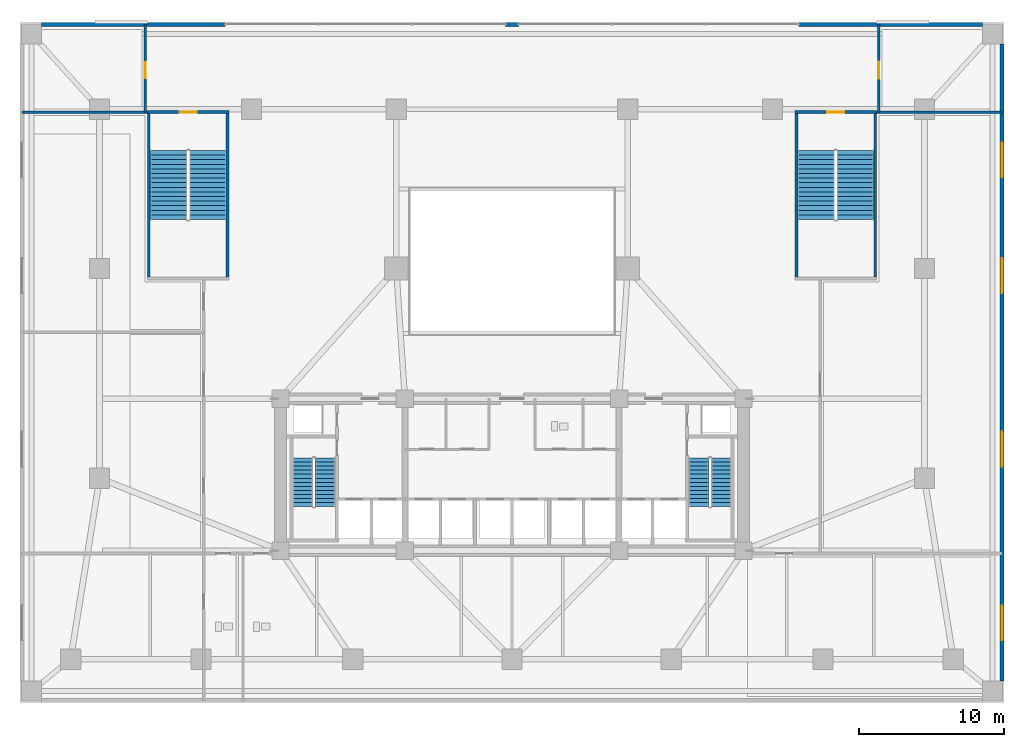
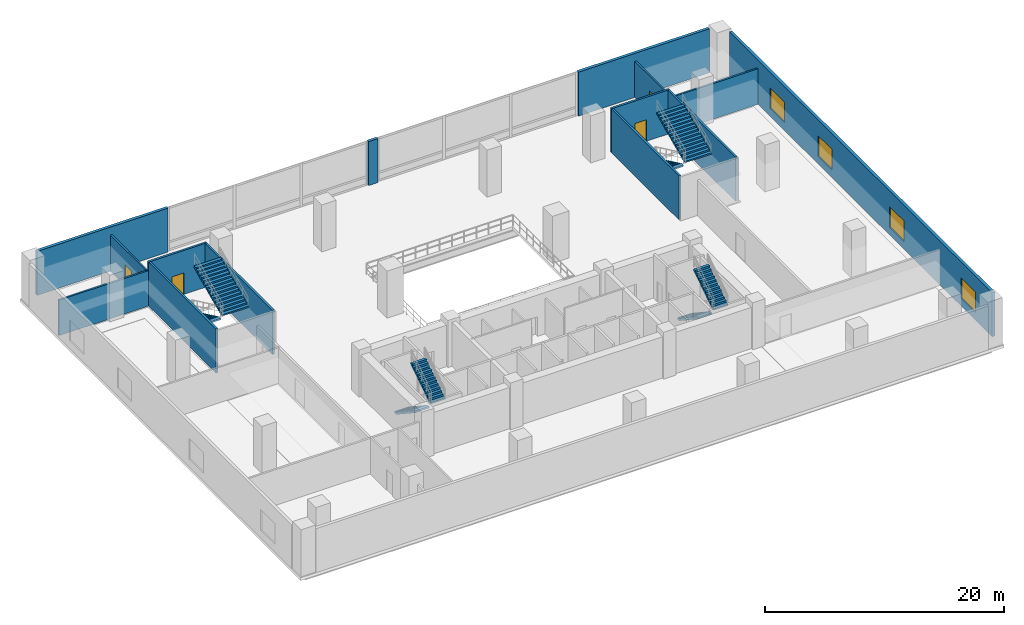
# One storey, part 9 of 15: 14 walls, 8 stair flights, 4 doors, 4 windows, 8 openings, 4 elements without a shape of their own.
"""IFC4 building model written with IfcOpenShell, lengths in metres."""

from ifc_helpers import new_model, si_unit, direction, frame, frame_2d, origin, place, context, subcontext, project, spatial, polyline, rectangle, outline, extrude, material, layer, layer_set, type_object, element, fill, aggregate, save


model = new_model("IFC4")

# Units and contexts
model_context = context("Model", 3, precision=1e-05, world=origin(), true_north=direction((0.0, 1.0)))
body_context = subcontext(model_context, "Body", "Model", "MODEL_VIEW")
ifc_project = project(units=[si_unit("LENGTHUNIT", "METRE"), si_unit("AREAUNIT", "SQUARE_METRE"), si_unit("VOLUMEUNIT", "CUBIC_METRE"), si_unit("PLANEANGLEUNIT", "RADIAN"), si_unit("MASSUNIT", "GRAM", prefix="KILO")], contexts=[model_context])

# Site, building, storey
site_placement = place(None, origin())
site = spatial("IfcSite", under=ifc_project, at=site_placement, CompositionType="ELEMENT")
building_placement = place(site_placement, origin())
building = spatial("IfcBuilding", under=site, at=building_placement, Name="Solmavex Isthmus Hotel", CompositionType="ELEMENT")
storey_placement = place(building_placement, frame((0.0, 0.0, 11.39990234375)))
storey = spatial("IfcBuildingStorey", under=building, at=storey_placement, Name="L03", CompositionType="ELEMENT", Elevation=11.39990234375)

# Walls
ifc_material_1 = material(Name="Precast Concrete C40/50", Category="concrete")
ifc_layer_1 = layer(ifc_material_1, 0.280029296875)
ifc_layer_set_1 = layer_set([ifc_layer_1], Name="Precast Concrete C40/50")
wall_type_1 = type_object("IfcWallType", Name="EW-POD-280", PredefinedType="STANDARD", material=ifc_layer_set_1)
for number, where, z_axis, x_axis, name in (
    (1, (-32.5, 23.360107421875, 0.0), (0.0, 0.0, 1.0), (1.0, 0.0, 0.0), "Podium Facade Wall NW L03"),
    (2, (19.840087890625, 23.360107421875, 0.0), (0.0, 0.0, 1.0), (1.0, 0.0, 0.0), "Podium Facade Wall NE L03"),
):
    element("IfcWall", number, at=place(storey_placement, frame(where, z_axis=z_axis, x_axis=x_axis)), inside=storey, type_object=wall_type_1, Name=name, PredefinedType="STANDARD", context=body_context, shape_type="SweptSolid", body=[
        extrude(rectangle(XDim=12.659912109375, YDim=0.280029296875, at=frame_2d((6.330078125, 0.0))), origin(), (0.0, 0.0, 1.0), 4.5),
    ])
wall_1_placement = place(storey_placement, frame((-0.449951171875, 23.360107421875, 0.0), z_axis=(0.0, 0.0, 1.0), x_axis=(1.0, 0.0, 0.0)))
element("IfcWall", 3, at=wall_1_placement, inside=storey, type_object=wall_type_1, Name="Podium Atrium Center Pier L03", PredefinedType="STANDARD", context=body_context, shape_type="SweptSolid", body=[
    extrude(rectangle(XDim=0.89990234375, YDim=0.280029296875, at=frame_2d((0.449951171875, 0.0))), origin(), (0.0, 0.0, 1.0), 4.5),
])

# Wall, openings, windows
wall_2_placement = place(storey_placement, frame((33.860107421875, -22.0, 0.0), z_axis=(0.0, 0.0, 1.0), x_axis=(0.0, 1.0, 0.0)))
wall_2 = element("IfcWall", 4, at=wall_2_placement, inside=storey, type_object=wall_type_1, Name="Podium Facade Wall East L03", PredefinedType="STANDARD", context=body_context, shape_type="SweptSolid", body=[
    extrude(rectangle(XDim=44.0, YDim=0.280029296875, at=frame_2d((22.0, 0.0))), origin(), (0.0, 0.0, 1.0), 4.5),
])
opening_1_placement = place(wall_2_placement, frame((2.800048828125, 0.0, 0.800048828125)))
opening_1 = element("IfcOpeningElement", 5, at=opening_1_placement, cuts=wall_2, Name="Opening WN-01", PredefinedType="OPENING", context=body_context, shape_type="SweptSolid", body=[
    extrude(rectangle(XDim=2.39990234375, YDim=2.10009765625, at=frame_2d((1.199951171875, 1.050048828125))), frame((0.0, 0.14990234375, 0.0), z_axis=(0.0, -1.0, 0.0), x_axis=(1.0, 0.0, 0.0)), (0.0, 0.0, 1.0), 0.300048828125),
])
opening_2_placement = place(wall_2_placement, frame((14.800048828125, 0.0, 0.800048828125)))
opening_2 = element("IfcOpeningElement", 6, at=opening_2_placement, cuts=wall_2, Name="Opening WN-01", PredefinedType="OPENING", context=body_context, shape_type="SweptSolid", body=[
    extrude(rectangle(XDim=2.39990234375, YDim=2.10009765625, at=frame_2d((1.199951171875, 1.050048828125))), frame((0.0, 0.14990234375, 0.0), z_axis=(0.0, -1.0, 0.0), x_axis=(1.0, 0.0, 0.0)), (0.0, 0.0, 1.0), 0.300048828125),
])
opening_3_placement = place(wall_2_placement, frame((26.800048828125, 0.0, 0.800048828125)))
opening_3 = element("IfcOpeningElement", 7, at=opening_3_placement, cuts=wall_2, Name="Opening WN-01", PredefinedType="OPENING", context=body_context, shape_type="SweptSolid", body=[
    extrude(rectangle(XDim=2.39990234375, YDim=2.10009765625, at=frame_2d((1.199951171875, 1.050048828125))), frame((0.0, 0.14990234375, 0.0), z_axis=(0.0, -1.0, 0.0), x_axis=(1.0, 0.0, 0.0)), (0.0, 0.0, 1.0), 0.300048828125),
])
opening_4_placement = place(wall_2_placement, frame((34.800048828125, 0.0, 0.800048828125)))
opening_4 = element("IfcOpeningElement", 8, at=opening_4_placement, cuts=wall_2, Name="Opening WN-01", PredefinedType="OPENING", context=body_context, shape_type="SweptSolid", body=[
    extrude(rectangle(XDim=2.39990234375, YDim=2.10009765625, at=frame_2d((1.199951171875, 1.050048828125))), frame((0.0, 0.14990234375, 0.0), z_axis=(0.0, -1.0, 0.0), x_axis=(1.0, 0.0, 0.0)), (0.0, 0.0, 1.0), 0.300048828125),
])
ifc_material_2 = material(Name="Clear low-E laminated glass", Category="glass")
window_type = type_object("IfcWindowType", Name="WIN-POD-2400", PartitioningType="SINGLE_PANEL", PredefinedType="WINDOW", material=ifc_material_2)
window_1_placement = place(opening_1_placement, origin())
window_1 = element("IfcWindow", 9, at=window_1_placement, inside=storey, type_object=window_type, Name="Podium Ballroom Window L03-E1", OverallHeight=2.10009765625, OverallWidth=2.39990234375, PartitioningType="SINGLE_PANEL", PredefinedType="WINDOW", context=body_context, shape_type="SweptSolid", body=[
    extrude(rectangle(XDim=2.39990234375, YDim=2.10009765625, at=frame_2d((1.199951171875, 1.050048828125))), frame((0.0, 0.030029296875, 0.0), z_axis=(0.0, -1.0, 0.0), x_axis=(1.0, 0.0, 0.0)), (0.0, 0.0, 1.0), 0.06005859375),
])
fill(opening_1, window_1)
window_2_placement = place(opening_2_placement, origin())
window_2 = element("IfcWindow", 10, at=window_2_placement, inside=storey, type_object=window_type, Name="Podium Ballroom Window L03-E2", OverallHeight=2.10009765625, OverallWidth=2.39990234375, PartitioningType="SINGLE_PANEL", PredefinedType="WINDOW", context=body_context, shape_type="SweptSolid", body=[
    extrude(rectangle(XDim=2.39990234375, YDim=2.10009765625, at=frame_2d((1.199951171875, 1.050048828125))), frame((0.0, 0.030029296875, 0.0), z_axis=(0.0, -1.0, 0.0), x_axis=(1.0, 0.0, 0.0)), (0.0, 0.0, 1.0), 0.06005859375),
])
fill(opening_2, window_2)
window_3_placement = place(opening_3_placement, origin())
window_3 = element("IfcWindow", 11, at=window_3_placement, inside=storey, type_object=window_type, Name="Podium Ballroom Window L03-E3", OverallHeight=2.10009765625, OverallWidth=2.39990234375, PartitioningType="SINGLE_PANEL", PredefinedType="WINDOW", context=body_context, shape_type="SweptSolid", body=[
    extrude(rectangle(XDim=2.39990234375, YDim=2.10009765625, at=frame_2d((1.199951171875, 1.050048828125))), frame((0.0, 0.030029296875, 0.0), z_axis=(0.0, -1.0, 0.0), x_axis=(1.0, 0.0, 0.0)), (0.0, 0.0, 1.0), 0.06005859375),
])
fill(opening_3, window_3)
window_4_placement = place(opening_4_placement, origin())
window_4 = element("IfcWindow", 12, at=window_4_placement, inside=storey, type_object=window_type, Name="Podium Ballroom Window L03-E4", OverallHeight=2.10009765625, OverallWidth=2.39990234375, PartitioningType="SINGLE_PANEL", PredefinedType="WINDOW", context=body_context, shape_type="SweptSolid", body=[
    extrude(rectangle(XDim=2.39990234375, YDim=2.10009765625, at=frame_2d((1.199951171875, 1.050048828125))), frame((0.0, 0.030029296875, 0.0), z_axis=(0.0, -1.0, 0.0), x_axis=(1.0, 0.0, 0.0)), (0.0, 0.0, 1.0), 0.06005859375),
])
fill(opening_4, window_4)

# Wall, opening, door
ifc_material_3 = material(Name="Gypsum plasterboard lining", Category="gypsum")
ifc_layer_2 = layer(ifc_material_3, 0.159912109375)
ifc_layer_set_2 = layer_set([ifc_layer_2], Name="Gypsum plasterboard lining")
wall_type_2 = type_object("IfcWallType", Name="IW-COMP-160", PredefinedType="PARTITIONING", material=ifc_layer_set_2)
wall_3_placement = place(storey_placement, frame((-25.35009765625, 17.300048828125, 0.0), z_axis=(0.0, 0.0, 1.0), x_axis=(0.0, 1.0, 0.0)))
wall_3 = element("IfcWall", 13, at=wall_3_placement, inside=storey, type_object=wall_type_2, Name="Interior Partition Wall W-L03-NORTH-WV", PredefinedType="PARTITIONING", context=body_context, shape_type="SweptSolid", body=[
    extrude(rectangle(XDim=6.06005859375, YDim=0.159912109375, at=frame_2d((3.030029296875, 0.0))), origin(), (0.0, 0.0, 1.0), 3.7119140625),
])
opening_5_placement = place(wall_3_placement, frame((2.35009765625, 0.0, 0.0)))
opening_5 = element("IfcOpeningElement", 14, at=opening_5_placement, cuts=wall_3, Name="Opening ID-C110", PredefinedType="OPENING", context=body_context, shape_type="SweptSolid", body=[
    extrude(rectangle(XDim=1.10009765625, YDim=2.14990234375, at=frame_2d((0.550048828125, 1.074951171875))), frame((0.0, 0.08984375, 0.0), z_axis=(0.0, -1.0, 0.0), x_axis=(1.0, 0.0, 0.0)), (0.0, 0.0, 1.0), 0.179931640625),
])
ifc_material_4 = material(Name="Hardwood timber", Category="wood")
door_type_1 = type_object("IfcDoorType", Name="IDR-FD60-1100", OperationType="NOTDEFINED", PredefinedType="DOOR", material=ifc_material_4)
door_1_placement = place(opening_5_placement, origin())
door_1 = element("IfcDoor", 15, at=door_1_placement, inside=storey, type_object=door_type_1, Name="VIP Coat Room Door L03", OperationType="SINGLE_SWING_RIGHT", OverallHeight=2.14990234375, OverallWidth=1.10009765625, PredefinedType="DOOR", context=body_context, shape_type="SweptSolid", body=[
    extrude(rectangle(XDim=1.10009765625, YDim=2.14990234375, at=frame_2d((0.550048828125, 1.074951171875))), frame((0.0, 0.02490234375, 0.0), z_axis=(0.0, -1.0, 0.0), x_axis=(1.0, 0.0, 0.0)), (0.0, 0.0, 1.0), 0.050048828125),
])
fill(opening_5, door_1)

wall_4_placement = place(storey_placement, frame((25.35009765625, 17.300048828125, 0.0), z_axis=(0.0, 0.0, 1.0), x_axis=(0.0, 1.0, 0.0)))
wall_4 = element("IfcWall", 16, at=wall_4_placement, inside=storey, type_object=wall_type_2, Name="Interior Partition Wall W-L03-NORTH-EV", PredefinedType="PARTITIONING", context=body_context, shape_type="SweptSolid", body=[
    extrude(rectangle(XDim=6.06005859375, YDim=0.159912109375, at=frame_2d((3.030029296875, 0.0))), origin(), (0.0, 0.0, 1.0), 3.7119140625),
])
opening_6_placement = place(wall_4_placement, frame((2.324951171875, 0.0, 0.0)))
opening_6 = element("IfcOpeningElement", 17, at=opening_6_placement, cuts=wall_4, Name="Opening ID-C115", PredefinedType="OPENING", context=body_context, shape_type="SweptSolid", body=[
    extrude(rectangle(XDim=1.14990234375, YDim=2.199951171875, at=frame_2d((0.574951171875, 1.10009765625))), frame((0.0, 0.08984375, 0.0), z_axis=(0.0, -1.0, 0.0), x_axis=(1.0, 0.0, 0.0)), (0.0, 0.0, 1.0), 0.179931640625),
])
door_type_2 = type_object("IfcDoorType", Name="IDR-FD60-1150", OperationType="NOTDEFINED", PredefinedType="DOOR", material=ifc_material_4)
door_2_placement = place(opening_6_placement, origin())
door_2 = element("IfcDoor", 18, at=door_2_placement, inside=storey, type_object=door_type_2, Name="Seminar Room Door L03", OperationType="SINGLE_SWING_LEFT", OverallHeight=2.199951171875, OverallWidth=1.14990234375, PredefinedType="DOOR", context=body_context, shape_type="SweptSolid", body=[
    extrude(rectangle(XDim=1.14990234375, YDim=2.199951171875, at=frame_2d((0.574951171875, 1.10009765625))), frame((0.0, 0.02490234375, 0.0), z_axis=(0.0, -1.0, 0.0), x_axis=(1.0, 0.0, 0.0)), (0.0, 0.0, 1.0), 0.050048828125),
])
fill(opening_6, door_2)

# Walls
ifc_material_5 = material(Name="Concrete C40/50", Category="concrete")
ifc_layer_3 = layer(ifc_material_5, 0.179931640625)
ifc_layer_set_3 = layer_set([ifc_layer_3], Name="Concrete C40/50")
wall_type_3 = type_object("IfcWallType", Name="IW-SHAFT-180", PredefinedType="PARTITIONING", material=ifc_layer_set_3)
for number, where, z_axis, x_axis, name in (
    (19, (-33.860107421875, 17.300048828125, 0.0), (0.0, 0.0, 1.0), (1.0, 0.0, 0.0), "Interior Partition Wall W-L03-NORTH-W"),
    (20, (25.199951171875, 17.300048828125, 0.0), (0.0, 0.0, 1.0), (1.0, 0.0, 0.0), "Interior Partition Wall W-L03-NORTH-E"),
):
    element("IfcWall", number, at=place(storey_placement, frame(where, z_axis=z_axis, x_axis=x_axis)), inside=storey, type_object=wall_type_3, Name=name, PredefinedType="PARTITIONING", context=body_context, shape_type="SweptSolid", body=[
        extrude(rectangle(XDim=8.66015625, YDim=0.179931640625, at=frame_2d((4.330078125, 0.0))), origin(), (0.0, 0.0, 1.0), 3.629638671875),
    ])

# Wall, opening, door
ifc_layer_4 = layer(ifc_material_5, 0.199951171875)
ifc_layer_set_4 = layer_set([ifc_layer_4], Name="Concrete C40/50")
wall_type_4 = type_object("IfcWallType", Name="WALL-SW-200", PredefinedType="SOLIDWALL", material=ifc_layer_set_4)
wall_5_placement = place(storey_placement, frame((19.550048828125, 17.300048828125, 0.0), z_axis=(0.0, 0.0, 1.0), x_axis=(1.0, 0.0, 0.0)))
wall_5 = element("IfcWall", 21, at=wall_5_placement, inside=storey, type_object=wall_type_4, Name="Stairwell Structural Wall SW-L03-ST3-N", PredefinedType="SOLIDWALL", context=body_context, shape_type="SweptSolid", body=[
    extrude(rectangle(XDim=5.64990234375, YDim=0.199951171875, at=frame_2d((2.824951171875, 0.0))), origin(), (0.0, 0.0, 1.0), 4.5),
])
opening_7_placement = place(wall_5_placement, frame((2.25, 0.0, 0.0)))
opening_7 = element("IfcOpeningElement", 22, at=opening_7_placement, cuts=wall_5, Name="Opening ID-F115", PredefinedType="OPENING", context=body_context, shape_type="SweptSolid", body=[
    extrude(rectangle(XDim=1.14990234375, YDim=2.199951171875, at=frame_2d((0.574951171875, 1.10009765625))), frame((0.0, 0.10986328125, 0.0), z_axis=(0.0, -1.0, 0.0), x_axis=(1.0, 0.0, 0.0)), (0.0, 0.0, 1.0), 0.219970703125),
])
ifc_material_6 = material(Name="Steel ASTM A500 Grade C", Category="steel")
door_type_3 = type_object("IfcDoorType", Name="IDR-FD90-1150", OperationType="NOTDEFINED", PredefinedType="DOOR", material=ifc_material_6)
door_3_placement = place(opening_7_placement, origin())
door_3 = element("IfcDoor", 23, at=door_3_placement, inside=storey, type_object=door_type_3, Name="Podium Stair ST3 Fire Door L03", OperationType="SINGLE_SWING_LEFT", OverallHeight=2.199951171875, OverallWidth=1.14990234375, PredefinedType="DOOR", context=body_context, shape_type="SweptSolid", body=[
    extrude(rectangle(XDim=1.14990234375, YDim=2.199951171875, at=frame_2d((0.574951171875, 1.10009765625))), frame((0.0, 0.02490234375, 0.0), z_axis=(0.0, -1.0, 0.0), x_axis=(1.0, 0.0, 0.0)), (0.0, 0.0, 1.0), 0.050048828125),
])
fill(opening_7, door_3)

# Walls
for number, where, z_axis, x_axis, name in (
    (24, (19.64990234375, 5.89990234375, 0.0), (0.0, 0.0, 1.0), (0.0, 1.0, 0.0), "Stairwell Structural Wall SW-L03-ST3-W"),
    (25, (25.10009765625, 5.89990234375, 0.0), (0.0, 0.0, 1.0), (0.0, 1.0, 0.0), "Stairwell Structural Wall SW-L03-ST3-E"),
):
    element("IfcWall", number, at=place(storey_placement, frame(where, z_axis=z_axis, x_axis=x_axis)), inside=storey, type_object=wall_type_4, Name=name, PredefinedType="SOLIDWALL", context=body_context, shape_type="SweptSolid", body=[
        extrude(rectangle(XDim=11.300048828125, YDim=0.199951171875, at=frame_2d((5.64990234375, 0.0))), origin(), (0.0, 0.0, 1.0), 4.5),
    ])

# Wall, opening, door
wall_6_placement = place(storey_placement, frame((-25.199951171875, 17.300048828125, 0.0), z_axis=(0.0, 0.0, 1.0), x_axis=(1.0, 0.0, 0.0)))
wall_6 = element("IfcWall", 26, at=wall_6_placement, inside=storey, type_object=wall_type_4, Name="Stairwell Structural Wall SW-L03-ST4-N", PredefinedType="SOLIDWALL", context=body_context, shape_type="SweptSolid", body=[
    extrude(rectangle(XDim=5.64990234375, YDim=0.199951171875, at=frame_2d((2.824951171875, 0.0))), origin(), (0.0, 0.0, 1.0), 4.5),
])
opening_8_placement = place(wall_6_placement, frame((2.25, 0.0, 0.0)))
opening_8 = element("IfcOpeningElement", 27, at=opening_8_placement, cuts=wall_6, Name="Opening ID-F115", PredefinedType="OPENING", context=body_context, shape_type="SweptSolid", body=[
    extrude(rectangle(XDim=1.14990234375, YDim=2.199951171875, at=frame_2d((0.574951171875, 1.10009765625))), frame((0.0, 0.10986328125, 0.0), z_axis=(0.0, -1.0, 0.0), x_axis=(1.0, 0.0, 0.0)), (0.0, 0.0, 1.0), 0.219970703125),
])
door_4_placement = place(opening_8_placement, origin())
door_4 = element("IfcDoor", 28, at=door_4_placement, inside=storey, type_object=door_type_3, Name="Podium Stair ST4 Fire Door L03", OperationType="SINGLE_SWING_RIGHT", OverallHeight=2.199951171875, OverallWidth=1.14990234375, PredefinedType="DOOR", context=body_context, shape_type="SweptSolid", body=[
    extrude(rectangle(XDim=1.14990234375, YDim=2.199951171875, at=frame_2d((0.574951171875, 1.10009765625))), frame((0.0, 0.02490234375, 0.0), z_axis=(0.0, -1.0, 0.0), x_axis=(1.0, 0.0, 0.0)), (0.0, 0.0, 1.0), 0.050048828125),
])
fill(opening_8, door_4)

# Walls
for number, where, z_axis, x_axis, name in (
    (29, (-25.10009765625, 5.89990234375, 0.0), (0.0, 0.0, 1.0), (0.0, 1.0, 0.0), "Stairwell Structural Wall SW-L03-ST4-W"),
    (30, (-19.64990234375, 5.89990234375, 0.0), (0.0, 0.0, 1.0), (0.0, 1.0, 0.0), "Stairwell Structural Wall SW-L03-ST4-E"),
):
    element("IfcWall", number, at=place(storey_placement, frame(where, z_axis=z_axis, x_axis=x_axis)), inside=storey, type_object=wall_type_4, Name=name, PredefinedType="SOLIDWALL", context=body_context, shape_type="SweptSolid", body=[
        extrude(rectangle(XDim=11.300048828125, YDim=0.199951171875, at=frame_2d((5.64990234375, 0.0))), origin(), (0.0, 0.0, 1.0), 4.5),
    ])

# Stair, stair flights
stair_type_1 = type_object("IfcStairType", Name="STR-ST-1", PredefinedType="HALF_TURN_STAIR", material=ifc_material_5)
stair_1_placement = place(storey_placement, origin())
stair_1 = element("IfcStair", 31, at=stair_1_placement, inside=storey, type_object=stair_type_1, Name="L03 Protected Exit Stair ST-1", PredefinedType="HALF_TURN_STAIR")
stair_flight_type_1 = type_object("IfcStairFlightType", Name="SFL-ST-1", PredefinedType="STRAIGHT", material=ifc_material_5)
stair_flight_1_placement = place(storey_placement, frame((-14.449951171875, -6.60009765625, 0.0), z_axis=(0.0, 0.0, 1.0), x_axis=(0.0, -1.0, 0.0)))
stair_flight_1 = element("IfcStairFlight", 32, at=stair_flight_1_placement, type_object=stair_flight_type_1, Name="ST-1 flight 1", NumberOfRisers=13, NumberOfTreads=12, PredefinedType="STRAIGHT", RiserHeight=0.184615385, TreadLength=0.28, context=body_context, shape_type="SweptSolid", body=[
    extrude(outline(polyline([(0.0, 0.0), (0.0, 0.1845703125), (0.280029296875, 0.1845703125), (0.280029296875, 0.369140625), (0.56005859375, 0.369140625), (0.56005859375, 0.553955078125), (0.840087890625, 0.553955078125), (0.840087890625, 0.738525390625), (1.1201171875, 0.738525390625), (1.1201171875, 0.923095703125), (1.39990234375, 0.923095703125), (1.39990234375, 1.107666015625), (1.679931640625, 1.107666015625), (1.679931640625, 1.292236328125), (1.9599609375, 1.292236328125), (1.9599609375, 1.476806640625), (2.239990234375, 1.476806640625), (2.239990234375, 1.66162109375), (2.52001953125, 1.66162109375), (2.52001953125, 1.84619140625), (2.800048828125, 1.84619140625), (2.800048828125, 2.03076171875), (3.080078125, 2.03076171875), (3.080078125, 2.21533203125), (3.360107421875, 2.21533203125), (3.360107421875, 2.39990234375), (3.360107421875, 2.035888671875), (0.272216796875, 0.0), (0.0, 0.0)])), frame((0.0, 0.699951171875, 0.0), z_axis=(0.0, -1.0, 0.0), x_axis=(1.0, 0.0, 0.0)), (0.0, 0.0, 1.0), 1.39990234375),
])
stair_flight_2_placement = place(storey_placement, frame((-12.89990234375, -9.9599609375, 2.400146484375), z_axis=(0.0, 0.0, 1.0), x_axis=(0.0, 1.0, 0.0)))
stair_flight_2 = element("IfcStairFlight", 33, at=stair_flight_2_placement, type_object=stair_flight_type_1, Name="ST-1 flight 2", NumberOfRisers=13, NumberOfTreads=12, PredefinedType="STRAIGHT", RiserHeight=0.184615385, TreadLength=0.28, context=body_context, shape_type="SweptSolid", body=[
    extrude(outline(polyline([(0.0, 0.0), (0.0, 0.1845703125), (0.280029296875, 0.1845703125), (0.280029296875, 0.369140625), (0.56005859375, 0.369140625), (0.56005859375, 0.553955078125), (0.840087890625, 0.553955078125), (0.840087890625, 0.738525390625), (1.1201171875, 0.738525390625), (1.1201171875, 0.923095703125), (1.39990234375, 0.923095703125), (1.39990234375, 1.107666015625), (1.679931640625, 1.107666015625), (1.679931640625, 1.292236328125), (1.9599609375, 1.292236328125), (1.9599609375, 1.476806640625), (2.239990234375, 1.476806640625), (2.239990234375, 1.66162109375), (2.52001953125, 1.66162109375), (2.52001953125, 1.84619140625), (2.800048828125, 1.84619140625), (2.800048828125, 2.03076171875), (3.080078125, 2.03076171875), (3.080078125, 2.21533203125), (3.360107421875, 2.21533203125), (3.360107421875, 2.39990234375), (3.360107421875, 2.035888671875), (0.272216796875, 0.0), (0.0, 0.0)])), frame((0.0, 0.699951171875, 0.0), z_axis=(0.0, -1.0, 0.0), x_axis=(1.0, 0.0, 0.0)), (0.0, 0.0, 1.0), 1.39990234375),
])
aggregate(stair_1, [stair_flight_1, stair_flight_2])

stair_type_2 = type_object("IfcStairType", Name="STR-ST-2", PredefinedType="HALF_TURN_STAIR", material=ifc_material_5)
stair_2_placement = place(storey_placement, origin())
stair_2 = element("IfcStair", 34, at=stair_2_placement, inside=storey, type_object=stair_type_2, Name="L03 Protected Exit Stair ST-2", PredefinedType="HALF_TURN_STAIR")
stair_flight_type_2 = type_object("IfcStairFlightType", Name="SFL-ST-2", PredefinedType="STRAIGHT", material=ifc_material_5)
stair_flight_3_placement = place(storey_placement, frame((12.89990234375, -6.60009765625, 0.0), z_axis=(0.0, 0.0, 1.0), x_axis=(0.0, -1.0, 0.0)))
stair_flight_3 = element("IfcStairFlight", 35, at=stair_flight_3_placement, type_object=stair_flight_type_2, Name="ST-2 flight 1", NumberOfRisers=13, NumberOfTreads=12, PredefinedType="STRAIGHT", RiserHeight=0.184615385, TreadLength=0.28, context=body_context, shape_type="SweptSolid", body=[
    extrude(outline(polyline([(0.0, 0.0), (0.0, 0.1845703125), (0.280029296875, 0.1845703125), (0.280029296875, 0.369140625), (0.56005859375, 0.369140625), (0.56005859375, 0.553955078125), (0.840087890625, 0.553955078125), (0.840087890625, 0.738525390625), (1.1201171875, 0.738525390625), (1.1201171875, 0.923095703125), (1.39990234375, 0.923095703125), (1.39990234375, 1.107666015625), (1.679931640625, 1.107666015625), (1.679931640625, 1.292236328125), (1.9599609375, 1.292236328125), (1.9599609375, 1.476806640625), (2.239990234375, 1.476806640625), (2.239990234375, 1.66162109375), (2.52001953125, 1.66162109375), (2.52001953125, 1.84619140625), (2.800048828125, 1.84619140625), (2.800048828125, 2.03076171875), (3.080078125, 2.03076171875), (3.080078125, 2.21533203125), (3.360107421875, 2.21533203125), (3.360107421875, 2.39990234375), (3.360107421875, 2.035888671875), (0.272216796875, 0.0), (0.0, 0.0)])), frame((0.0, 0.699951171875, 0.0), z_axis=(0.0, -1.0, 0.0), x_axis=(1.0, 0.0, 0.0)), (0.0, 0.0, 1.0), 1.39990234375),
])
stair_flight_4_placement = place(storey_placement, frame((14.449951171875, -9.9599609375, 2.400146484375), z_axis=(0.0, 0.0, 1.0), x_axis=(0.0, 1.0, 0.0)))
stair_flight_4 = element("IfcStairFlight", 36, at=stair_flight_4_placement, type_object=stair_flight_type_2, Name="ST-2 flight 2", NumberOfRisers=13, NumberOfTreads=12, PredefinedType="STRAIGHT", RiserHeight=0.184615385, TreadLength=0.28, context=body_context, shape_type="SweptSolid", body=[
    extrude(outline(polyline([(0.0, 0.0), (0.0, 0.1845703125), (0.280029296875, 0.1845703125), (0.280029296875, 0.369140625), (0.56005859375, 0.369140625), (0.56005859375, 0.553955078125), (0.840087890625, 0.553955078125), (0.840087890625, 0.738525390625), (1.1201171875, 0.738525390625), (1.1201171875, 0.923095703125), (1.39990234375, 0.923095703125), (1.39990234375, 1.107666015625), (1.679931640625, 1.107666015625), (1.679931640625, 1.292236328125), (1.9599609375, 1.292236328125), (1.9599609375, 1.476806640625), (2.239990234375, 1.476806640625), (2.239990234375, 1.66162109375), (2.52001953125, 1.66162109375), (2.52001953125, 1.84619140625), (2.800048828125, 1.84619140625), (2.800048828125, 2.03076171875), (3.080078125, 2.03076171875), (3.080078125, 2.21533203125), (3.360107421875, 2.21533203125), (3.360107421875, 2.39990234375), (3.360107421875, 2.035888671875), (0.272216796875, 0.0), (0.0, 0.0)])), frame((0.0, 0.699951171875, 0.0), z_axis=(0.0, -1.0, 0.0), x_axis=(1.0, 0.0, 0.0)), (0.0, 0.0, 1.0), 1.39990234375),
])
aggregate(stair_2, [stair_flight_3, stair_flight_4])

stair_type_3 = type_object("IfcStairType", Name="STR-ST-3", PredefinedType="HALF_TURN_STAIR", material=ifc_material_5)
stair_3_placement = place(storey_placement, origin())
stair_3 = element("IfcStair", 37, at=stair_3_placement, inside=storey, type_object=stair_type_3, Name="L03 Podium Assembly Exit Stair ST-3", PredefinedType="HALF_TURN_STAIR")
stair_flight_type_3 = type_object("IfcStairFlightType", Name="SFL-ST-3", PredefinedType="STRAIGHT", material=ifc_material_5)
stair_flight_5_placement = place(storey_placement, frame((21.02490234375, 14.64990234375, 0.0), z_axis=(0.0, 0.0, 1.0), x_axis=(0.0, -1.0, 0.0)))
stair_flight_5 = element("IfcStairFlight", 38, at=stair_flight_5_placement, type_object=stair_flight_type_3, Name="ST-3 flight 1", NumberOfRisers=16, NumberOfTreads=15, PredefinedType="STRAIGHT", RiserHeight=0.15, TreadLength=0.318, context=body_context, shape_type="SweptSolid", body=[
    extrude(outline(polyline([(0.0, 0.0), (0.0, 0.14990234375), (0.318115234375, 0.14990234375), (0.318115234375, 0.300048828125), (0.635986328125, 0.300048828125), (0.635986328125, 0.449951171875), (0.9541015625, 0.449951171875), (0.9541015625, 0.60009765625), (1.27197265625, 0.60009765625), (1.27197265625, 0.75), (1.590087890625, 0.75), (1.590087890625, 0.89990234375), (1.907958984375, 0.89990234375), (1.907958984375, 1.050048828125), (2.22607421875, 1.050048828125), (2.22607421875, 1.199951171875), (2.5439453125, 1.199951171875), (2.5439453125, 1.35009765625), (2.862060546875, 1.35009765625), (2.862060546875, 1.5), (3.179931640625, 1.5), (3.179931640625, 1.64990234375), (3.498046875, 1.64990234375), (3.498046875, 1.800048828125), (3.81591796875, 1.800048828125), (3.81591796875, 1.949951171875), (4.134033203125, 1.949951171875), (4.134033203125, 2.10009765625), (4.451904296875, 2.10009765625), (4.451904296875, 2.25), (4.77001953125, 2.25), (4.77001953125, 2.39990234375), (4.77001953125, 2.084228515625), (0.351318359375, 0.0), (0.0, 0.0)])), frame((0.0, 1.27490234375, 0.0), z_axis=(0.0, -1.0, 0.0), x_axis=(1.0, 0.0, 0.0)), (0.0, 0.0, 1.0), 2.550048828125),
])
stair_flight_6_placement = place(storey_placement, frame((23.72509765625, 9.8798828125, 2.400146484375), z_axis=(0.0, 0.0, 1.0), x_axis=(0.0, 1.0, 0.0)))
stair_flight_6 = element("IfcStairFlight", 39, at=stair_flight_6_placement, type_object=stair_flight_type_3, Name="ST-3 flight 2", NumberOfRisers=16, NumberOfTreads=15, PredefinedType="STRAIGHT", RiserHeight=0.15, TreadLength=0.318, context=body_context, shape_type="SweptSolid", body=[
    extrude(outline(polyline([(0.0, 0.0), (0.0, 0.14990234375), (0.318115234375, 0.14990234375), (0.318115234375, 0.300048828125), (0.635986328125, 0.300048828125), (0.635986328125, 0.449951171875), (0.9541015625, 0.449951171875), (0.9541015625, 0.60009765625), (1.27197265625, 0.60009765625), (1.27197265625, 0.75), (1.590087890625, 0.75), (1.590087890625, 0.89990234375), (1.907958984375, 0.89990234375), (1.907958984375, 1.050048828125), (2.22607421875, 1.050048828125), (2.22607421875, 1.199951171875), (2.5439453125, 1.199951171875), (2.5439453125, 1.35009765625), (2.862060546875, 1.35009765625), (2.862060546875, 1.5), (3.179931640625, 1.5), (3.179931640625, 1.64990234375), (3.498046875, 1.64990234375), (3.498046875, 1.800048828125), (3.81591796875, 1.800048828125), (3.81591796875, 1.949951171875), (4.134033203125, 1.949951171875), (4.134033203125, 2.10009765625), (4.451904296875, 2.10009765625), (4.451904296875, 2.25), (4.77001953125, 2.25), (4.77001953125, 2.39990234375), (4.77001953125, 2.084228515625), (0.351318359375, 0.0), (0.0, 0.0)])), frame((0.0, 1.27490234375, 0.0), z_axis=(0.0, -1.0, 0.0), x_axis=(1.0, 0.0, 0.0)), (0.0, 0.0, 1.0), 2.550048828125),
])
aggregate(stair_3, [stair_flight_5, stair_flight_6])

stair_type_4 = type_object("IfcStairType", Name="STR-ST-4", PredefinedType="HALF_TURN_STAIR", material=ifc_material_5)
stair_4_placement = place(storey_placement, origin())
stair_4 = element("IfcStair", 40, at=stair_4_placement, inside=storey, type_object=stair_type_4, Name="L03 Podium Assembly Exit Stair ST-4", PredefinedType="HALF_TURN_STAIR")
stair_flight_type_4 = type_object("IfcStairFlightType", Name="SFL-ST-4", PredefinedType="STRAIGHT", material=ifc_material_5)
stair_flight_7_placement = place(storey_placement, frame((-23.72509765625, 14.64990234375, 0.0), z_axis=(0.0, 0.0, 1.0), x_axis=(0.0, -1.0, 0.0)))
stair_flight_7 = element("IfcStairFlight", 41, at=stair_flight_7_placement, type_object=stair_flight_type_4, Name="ST-4 flight 1", NumberOfRisers=16, NumberOfTreads=15, PredefinedType="STRAIGHT", RiserHeight=0.15, TreadLength=0.318, context=body_context, shape_type="SweptSolid", body=[
    extrude(outline(polyline([(0.0, 0.0), (0.0, 0.14990234375), (0.318115234375, 0.14990234375), (0.318115234375, 0.300048828125), (0.635986328125, 0.300048828125), (0.635986328125, 0.449951171875), (0.9541015625, 0.449951171875), (0.9541015625, 0.60009765625), (1.27197265625, 0.60009765625), (1.27197265625, 0.75), (1.590087890625, 0.75), (1.590087890625, 0.89990234375), (1.907958984375, 0.89990234375), (1.907958984375, 1.050048828125), (2.22607421875, 1.050048828125), (2.22607421875, 1.199951171875), (2.5439453125, 1.199951171875), (2.5439453125, 1.35009765625), (2.862060546875, 1.35009765625), (2.862060546875, 1.5), (3.179931640625, 1.5), (3.179931640625, 1.64990234375), (3.498046875, 1.64990234375), (3.498046875, 1.800048828125), (3.81591796875, 1.800048828125), (3.81591796875, 1.949951171875), (4.134033203125, 1.949951171875), (4.134033203125, 2.10009765625), (4.451904296875, 2.10009765625), (4.451904296875, 2.25), (4.77001953125, 2.25), (4.77001953125, 2.39990234375), (4.77001953125, 2.084228515625), (0.351318359375, 0.0), (0.0, 0.0)])), frame((0.0, 1.27490234375, 0.0), z_axis=(0.0, -1.0, 0.0), x_axis=(1.0, 0.0, 0.0)), (0.0, 0.0, 1.0), 2.550048828125),
])
stair_flight_8_placement = place(storey_placement, frame((-21.02490234375, 9.8798828125, 2.400146484375), z_axis=(0.0, 0.0, 1.0), x_axis=(0.0, 1.0, 0.0)))
stair_flight_8 = element("IfcStairFlight", 42, at=stair_flight_8_placement, type_object=stair_flight_type_4, Name="ST-4 flight 2", NumberOfRisers=16, NumberOfTreads=15, PredefinedType="STRAIGHT", RiserHeight=0.15, TreadLength=0.318, context=body_context, shape_type="SweptSolid", body=[
    extrude(outline(polyline([(0.0, 0.0), (0.0, 0.14990234375), (0.318115234375, 0.14990234375), (0.318115234375, 0.300048828125), (0.635986328125, 0.300048828125), (0.635986328125, 0.449951171875), (0.9541015625, 0.449951171875), (0.9541015625, 0.60009765625), (1.27197265625, 0.60009765625), (1.27197265625, 0.75), (1.590087890625, 0.75), (1.590087890625, 0.89990234375), (1.907958984375, 0.89990234375), (1.907958984375, 1.050048828125), (2.22607421875, 1.050048828125), (2.22607421875, 1.199951171875), (2.5439453125, 1.199951171875), (2.5439453125, 1.35009765625), (2.862060546875, 1.35009765625), (2.862060546875, 1.5), (3.179931640625, 1.5), (3.179931640625, 1.64990234375), (3.498046875, 1.64990234375), (3.498046875, 1.800048828125), (3.81591796875, 1.800048828125), (3.81591796875, 1.949951171875), (4.134033203125, 1.949951171875), (4.134033203125, 2.10009765625), (4.451904296875, 2.10009765625), (4.451904296875, 2.25), (4.77001953125, 2.25), (4.77001953125, 2.39990234375), (4.77001953125, 2.084228515625), (0.351318359375, 0.0), (0.0, 0.0)])), frame((0.0, 1.27490234375, 0.0), z_axis=(0.0, -1.0, 0.0), x_axis=(1.0, 0.0, 0.0)), (0.0, 0.0, 1.0), 2.550048828125),
])
aggregate(stair_4, [stair_flight_7, stair_flight_8])

save(model, "model.ifc")
